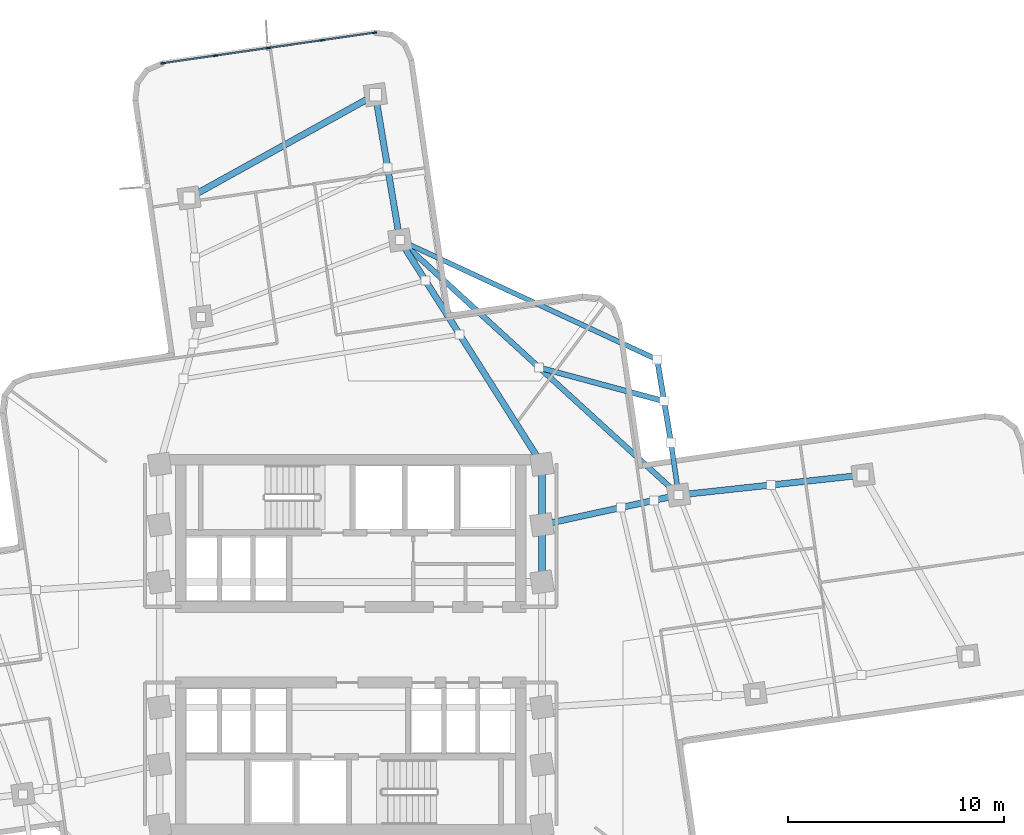
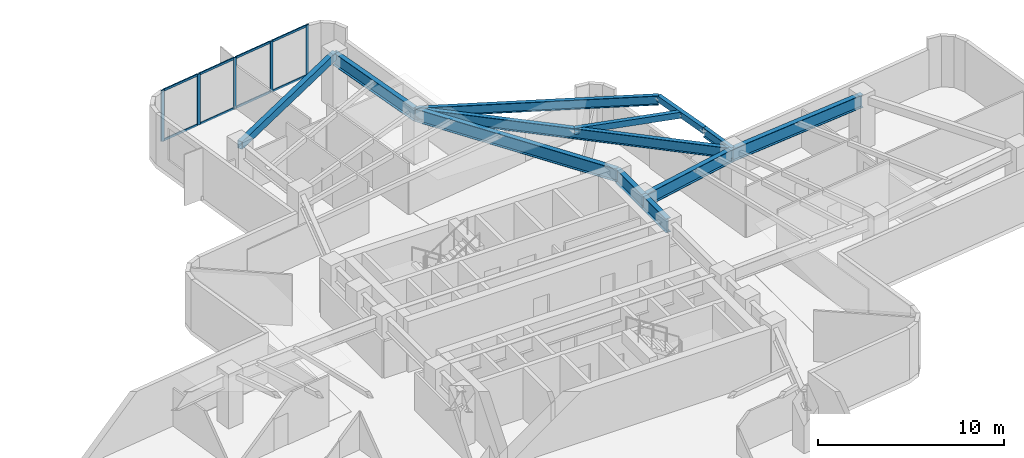
# One storey, part 4 of 13: 13 members, 12 beams, 1 element without a shape of its own.
"""IFC4 building model written with IfcOpenShell, lengths in metres."""

from ifc_helpers import new_model, si_unit, direction, frame, origin, origin_2d, place, context, subcontext, project, spatial, rectangle, hollow_rectangle, i_section, extrude, material, layer, layer_set, material_profile, profile_set, type_object, element, aggregate, save


model = new_model("IFC4")

# Units and contexts
model_context = context("Model", 3, precision=1e-05, world=origin(), true_north=direction((0.0, 1.0)))
body_context = subcontext(model_context, "Body", "Model", "MODEL_VIEW")
ifc_project = project(units=[si_unit("LENGTHUNIT", "METRE"), si_unit("AREAUNIT", "SQUARE_METRE"), si_unit("VOLUMEUNIT", "CUBIC_METRE"), si_unit("PLANEANGLEUNIT", "RADIAN"), si_unit("MASSUNIT", "GRAM", prefix="KILO")], contexts=[model_context])

# Site, building, storey
site_placement = place(None, origin())
site = spatial("IfcSite", under=ifc_project, at=site_placement, CompositionType="ELEMENT")
building_placement = place(site_placement, origin())
building = spatial("IfcBuilding", under=site, at=building_placement, Name="Solmarez Civic Tower", CompositionType="ELEMENT")
storey_placement = place(building_placement, frame((0.0, 0.0, 89.280029296875)))
storey = spatial("IfcBuildingStorey", under=building, at=storey_placement, Name="L23", CompositionType="ELEMENT", Elevation=89.280029296875)

# Beams
ifc_material_1 = material(Name="Steel S355", Category="steel")
ifc_material_profile_1 = material_profile(ifc_material_1, i_section(OverallWidth=0.25390625, OverallDepth=0.68798828125, WebThickness=0.01318359375, FlangeThickness=0.02099609375, at=origin_2d()), Name="W27X102")
ifc_profile_set_1 = profile_set([ifc_material_profile_1], Name="Steel S355")
beam_type_1 = type_object("IfcBeamType", Name="BM-PR-W27X102", PredefinedType="BEAM", material=ifc_profile_set_1)
beam_1_placement = place(storey_placement, frame((15.175048828125, 6.927001953125, 2.995849609375), z_axis=(-0.738053646973, 0.674742035292, 0.0), x_axis=(-0.674742035292, -0.738053646973, 0.0)))
element("IfcBeam", 1, at=beam_1_placement, inside=storey, type_object=beam_type_1, Name="L23 Primary Floor Beam BM-L23-BALC-NEC", PredefinedType="BEAM", context=body_context, shape_type="SweptSolid", body=[
    extrude(i_section(OverallWidth=0.25390625, OverallDepth=0.68798828125, WebThickness=0.01318359375, FlangeThickness=0.02099609375, at=origin_2d()), origin(), (0.0, 0.0, 1.0), 17.48388671875),
])
ifc_material_profile_2 = material_profile(ifc_material_1, i_section(OverallWidth=0.2919921875, OverallDepth=0.845947265625, WebThickness=0.015380859375, FlangeThickness=0.0244140625, at=origin_2d()), Name="W33X141")
ifc_profile_set_2 = profile_set([ifc_material_profile_2], Name="Steel S355")
beam_type_2 = type_object("IfcBeamType", Name="BM-PR-W33X141", PredefinedType="BEAM", material=ifc_profile_set_2)
beam_2_placement = place(storey_placement, frame((8.85009765625, 5.550048828125, 2.9169921875), z_axis=(0.977113347202, 0.212719314402, 0.0), x_axis=(-0.212719314402, 0.977113347202, 0.0)))
element("IfcBeam", 2, at=beam_2_placement, inside=storey, type_object=beam_type_2, Name="L23 Primary Floor Beam BM-L23-EA-R1B", PredefinedType="BEAM", context=body_context, shape_type="SweptSolid", body=[
    extrude(i_section(OverallWidth=0.2919921875, OverallDepth=0.845947265625, WebThickness=0.015380859375, FlangeThickness=0.0244140625, at=origin_2d()), origin(), (0.0, 0.0, 1.0), 6.47314453125),
])
beam_3_placement = place(storey_placement, frame((15.175048828125, 6.927001953125, 2.9169921875), z_axis=(0.994196782435, 0.107576753045, 0.0), x_axis=(-0.107576753045, 0.994196782435, 0.0)))
element("IfcBeam", 3, at=beam_3_placement, inside=storey, type_object=beam_type_2, Name="L23 Primary Floor Beam BM-L23-EA-R2B", PredefinedType="BEAM", context=body_context, shape_type="SweptSolid", body=[
    extrude(i_section(OverallWidth=0.2919921875, OverallDepth=0.845947265625, WebThickness=0.015380859375, FlangeThickness=0.0244140625, at=origin_2d()), origin(), (0.0, 0.0, 1.0), 8.58984375),
])
beam_4_placement = place(storey_placement, frame((8.85009765625, 8.35009765625, 2.9169921875), z_axis=(-0.535568299099, 0.84449191648, 0.0), x_axis=(-0.84449191648, -0.535568299099, 0.0)))
element("IfcBeam", 4, at=beam_4_placement, inside=storey, type_object=beam_type_2, Name="L23 Primary Floor Beam BM-L23-NA-R1A", PredefinedType="BEAM", context=body_context, shape_type="SweptSolid", body=[
    extrude(i_section(OverallWidth=0.2919921875, OverallDepth=0.845947265625, WebThickness=0.015380859375, FlangeThickness=0.0244140625, at=origin_2d()), origin(), (0.0, 0.0, 1.0), 12.284423828125),
])
beam_5_placement = place(storey_placement, frame((2.27099609375, 18.72412109375, 2.9169921875), z_axis=(-0.165813708215, 0.986157094062, 0.0), x_axis=(-0.986157094062, -0.165813708215, 0.0)))
element("IfcBeam", 5, at=beam_5_placement, inside=storey, type_object=beam_type_2, Name="L23 Primary Floor Beam BM-L23-NA-R2A", PredefinedType="BEAM", context=body_context, shape_type="SweptSolid", body=[
    extrude(i_section(OverallWidth=0.2919921875, OverallDepth=0.845947265625, WebThickness=0.015380859375, FlangeThickness=0.0244140625, at=origin_2d()), origin(), (0.0, 0.0, 1.0), 6.827392578125),
])
ifc_material_profile_3 = material_profile(ifc_material_1, i_section(OverallWidth=0.306884765625, OverallDepth=0.927001953125, WebThickness=0.019287109375, FlangeThickness=0.031982421875, at=origin_2d()), Name="W36X194")
ifc_profile_set_3 = profile_set([ifc_material_profile_3], Name="Steel S355")
beam_type_3 = type_object("IfcBeamType", Name="BM-PR-W36X194", PredefinedType="BEAM", material=ifc_profile_set_3)
beam_6_placement = place(storey_placement, frame((8.85009765625, 2.89990234375, 2.876953125), z_axis=(0.0, 1.0, 0.0), x_axis=(-1.0, 0.0, 0.0)))
element("IfcBeam", 6, at=beam_6_placement, inside=storey, type_object=beam_type_3, Name="L23 Primary Floor Beam BM-L23-HC7-HC8", PredefinedType="BEAM", context=body_context, shape_type="SweptSolid", body=[
    extrude(i_section(OverallWidth=0.306884765625, OverallDepth=0.927001953125, WebThickness=0.019287109375, FlangeThickness=0.031982421875, at=origin_2d()), origin(), (0.0, 0.0, 1.0), 2.650146484375),
])
beam_7_placement = place(storey_placement, frame((8.85009765625, 5.550048828125, 2.876953125), z_axis=(0.0, 1.0, 0.0), x_axis=(-1.0, 0.0, 0.0)))
element("IfcBeam", 7, at=beam_7_placement, inside=storey, type_object=beam_type_3, Name="L23 Primary Floor Beam BM-L23-HC8-HC11", PredefinedType="BEAM", context=body_context, shape_type="SweptSolid", body=[
    extrude(i_section(OverallWidth=0.306884765625, OverallDepth=0.927001953125, WebThickness=0.019287109375, FlangeThickness=0.031982421875, at=origin_2d()), origin(), (0.0, 0.0, 1.0), 2.800048828125),
])
ifc_material_profile_4 = material_profile(ifc_material_1, hollow_rectangle(XDim=0.25, YDim=0.39990234375, WallThickness=0.01611328125, at=origin_2d()), Name="HSS400X250X16")
ifc_profile_set_4 = profile_set([ifc_material_profile_4], Name="Steel S355")
beam_type_4 = type_object("IfcBeamType", Name="BM-SP-HSS400X250", PredefinedType="SPANDREL", material=ifc_profile_set_4)
beam_8_placement = place(storey_placement, frame((14.822998046875, 9.345947265625, 3.139892578125), z_axis=(-0.163302678934, 0.986576015851, 0.0), x_axis=(-0.986576015851, -0.163302678934, 0.0)))
element("IfcBeam", 8, at=beam_8_placement, inside=storey, type_object=beam_type_4, Name="L23 Perimeter Spandrel Beam BM-L23-BALC-NEE", PredefinedType="SPANDREL", context=body_context, shape_type="SweptSolid", body=[
    extrude(hollow_rectangle(XDim=0.25, YDim=0.39990234375, WallThickness=0.01611328125, at=origin_2d()), origin(), (0.0, 0.0, 1.0), 3.900390625),
])
beam_9_placement = place(storey_placement, frame((8.722900390625, 12.824951171875, 3.139892578125), z_axis=(0.965689340912, -0.259700013185, 0.0), x_axis=(0.259700013185, 0.965689340912, 0.0)))
element("IfcBeam", 9, at=beam_9_placement, inside=storey, type_object=beam_type_4, Name="L23 Perimeter Spandrel Beam BM-L23-BALC-NEM", PredefinedType="SPANDREL", context=body_context, shape_type="SweptSolid", body=[
    extrude(hollow_rectangle(XDim=0.25, YDim=0.39990234375, WallThickness=0.01611328125, at=origin_2d()), origin(), (0.0, 0.0, 1.0), 5.9873046875),
])
ifc_material_profile_5 = material_profile(ifc_material_1, hollow_rectangle(XDim=0.300048828125, YDim=0.5, WallThickness=0.02001953125, at=origin_2d()), Name="HSS500X300X20")
ifc_profile_set_5 = profile_set([ifc_material_profile_5], Name="Steel S355")
beam_type_5 = type_object("IfcBeamType", Name="BM-SP-HSS500X300", PredefinedType="SPANDREL", material=ifc_profile_set_5)
beam_10_placement = place(storey_placement, frame((1.138916015625, 25.45703125, 3.090087890625), z_axis=(-0.874811531682, -0.484463398035, 0.0), x_axis=(0.484463398035, -0.874811531682, 0.0)))
element("IfcBeam", 10, at=beam_10_placement, inside=storey, type_object=beam_type_5, Name="L23 Perimeter Spandrel Beam BM-L23-NA-T2", PredefinedType="SPANDREL", context=body_context, shape_type="SweptSolid", body=[
    extrude(hollow_rectangle(XDim=0.300048828125, YDim=0.5, WallThickness=0.02001953125, at=origin_2d()), origin(), (0.0, 0.0, 1.0), 9.862548828125),
])
ifc_material_profile_6 = material_profile(ifc_material_1, i_section(OverallWidth=0.22900390625, OverallDepth=0.612060546875, WebThickness=0.011962890625, FlangeThickness=0.01953125, at=origin_2d()), Name="W24X84")
ifc_profile_set_6 = profile_set([ifc_material_profile_6], Name="Steel S355")
beam_type_6 = type_object("IfcBeamType", Name="BM-SP-W24X84", PredefinedType="SPANDREL", material=ifc_profile_set_6)
beam_11_placement = place(storey_placement, frame((15.175048828125, 6.927001953125, 3.033935546875), z_axis=(-0.144021647449, 0.989574537398, 0.0), x_axis=(-0.989574537398, -0.144021647449, 0.0)))
element("IfcBeam", 11, at=beam_11_placement, inside=storey, type_object=beam_type_6, Name="L23 Perimeter Spandrel Beam BM-L23-BALC-NE1", PredefinedType="SPANDREL", context=body_context, shape_type="SweptSolid", body=[
    extrude(i_section(OverallWidth=0.22900390625, OverallDepth=0.612060546875, WebThickness=0.011962890625, FlangeThickness=0.01953125, at=origin_2d()), origin(), (0.0, 0.0, 1.0), 2.4443359375),
])
beam_12_placement = place(storey_placement, frame((2.27099609375, 18.72412109375, 3.033935546875), z_axis=(0.907065750802, -0.420988982899, 0.0), x_axis=(0.420988982899, 0.907065750802, 0.0)))
element("IfcBeam", 12, at=beam_12_placement, inside=storey, type_object=beam_type_6, Name="L23 Perimeter Spandrel Beam BM-L23-BALC-NE2", PredefinedType="SPANDREL", context=body_context, shape_type="SweptSolid", body=[
    extrude(i_section(OverallWidth=0.22900390625, OverallDepth=0.612060546875, WebThickness=0.011962890625, FlangeThickness=0.01953125, at=origin_2d()), origin(), (0.0, 0.0, 1.0), 13.1357421875),
])

# Curtain wall, members
ifc_material_2 = material(Name="Bronze Anodised Aluminium EN AW-6063 T6", Category="aluminium")
ifc_layer = layer(ifc_material_2, 0.199951171875)
ifc_layer_set = layer_set([ifc_layer], Name="Bronze Anodised Aluminium EN AW-6063 T6")
curtain_wall_type = type_object("IfcCurtainWallType", Name="CW-SYS-1", PredefinedType="NOTDEFINED", material=ifc_layer_set)
curtain_wall_placement = place(storey_placement, origin())
curtain_wall = element("IfcCurtainWall", 13, at=curtain_wall_placement, inside=storey, type_object=curtain_wall_type, Name="L23 Stick-Built Curtain Wall 2", PredefinedType="NOTDEFINED")
ifc_material_profile_7 = material_profile(ifc_material_2, rectangle(XDim=0.074951171875, YDim=0.199951171875, at=origin_2d()), Name="CWM-75X200")
ifc_profile_set_7 = profile_set([ifc_material_profile_7], Name="Bronze Anodised Aluminium EN AW-6063 T6")
member_type_1 = type_object("IfcMemberType", Name="CWM-TYPE-1", PredefinedType="MULLION", material=ifc_profile_set_7)
member_1_placement = place(storey_placement, frame((-8.699951171875, 26.914306640625, 0.0), z_axis=(0.0, 0.0, 1.0), x_axis=(-0.142697903871, 0.989766289702, 0.0)))
member_1 = element("IfcMember", 14, at=member_1_placement, type_object=member_type_1, Name="CWS1 mullion 1", PredefinedType="MULLION", context=body_context, shape_type="SweptSolid", body=[
    extrude(rectangle(XDim=0.074951171875, YDim=0.199951171875, at=origin_2d()), origin(), (0.0, 0.0, 1.0), 3.340087890625),
])
member_2_placement = place(storey_placement, frame((-6.267822265625, 27.264892578125, 0.0), z_axis=(0.0, 0.0, 1.0), x_axis=(-0.142697903871, 0.989766289702, 0.0)))
member_2 = element("IfcMember", 15, at=member_2_placement, type_object=member_type_1, Name="CWS1 mullion 2", PredefinedType="MULLION", context=body_context, shape_type="SweptSolid", body=[
    extrude(rectangle(XDim=0.074951171875, YDim=0.199951171875, at=origin_2d()), origin(), (0.0, 0.0, 1.0), 3.340087890625),
])
member_3_placement = place(storey_placement, frame((-3.798583984375, 27.62109375, 0.0), z_axis=(0.0, 0.0, 1.0), x_axis=(-0.142697903871, 0.989766289702, 0.0)))
member_3 = element("IfcMember", 16, at=member_3_placement, type_object=member_type_1, Name="CWS1 mullion 3", PredefinedType="MULLION", context=body_context, shape_type="SweptSolid", body=[
    extrude(rectangle(XDim=0.074951171875, YDim=0.199951171875, at=origin_2d()), origin(), (0.0, 0.0, 1.0), 3.340087890625),
])
member_4_placement = place(storey_placement, frame((-1.329345703125, 27.97705078125, 0.0), z_axis=(0.0, 0.0, 1.0), x_axis=(-0.142697903871, 0.989766289702, 0.0)))
member_4 = element("IfcMember", 17, at=member_4_placement, type_object=member_type_1, Name="CWS1 mullion 4", PredefinedType="MULLION", context=body_context, shape_type="SweptSolid", body=[
    extrude(rectangle(XDim=0.074951171875, YDim=0.199951171875, at=origin_2d()), origin(), (0.0, 0.0, 1.0), 3.340087890625),
])
member_5_placement = place(storey_placement, frame((1.102783203125, 28.32763671875, 0.0), z_axis=(0.0, 0.0, 1.0), x_axis=(-0.142697903871, 0.989766289702, 0.0)))
member_5 = element("IfcMember", 18, at=member_5_placement, type_object=member_type_1, Name="CWS1 mullion 5", PredefinedType="MULLION", context=body_context, shape_type="SweptSolid", body=[
    extrude(rectangle(XDim=0.074951171875, YDim=0.199951171875, at=origin_2d()), origin(), (0.0, 0.0, 1.0), 3.340087890625),
])
ifc_material_profile_8 = material_profile(ifc_material_2, rectangle(XDim=0.070068359375, YDim=0.139892578125, at=origin_2d()), Name="CWT-70X140")
ifc_profile_set_8 = profile_set([ifc_material_profile_8], Name="Bronze Anodised Aluminium EN AW-6063 T6")
member_type_2 = type_object("IfcMemberType", Name="CWT-TYPE-1", PredefinedType="USERDEFINED", material=ifc_profile_set_8)
member_6_placement = place(storey_placement, frame((-8.662841796875, 26.919677734375, 0.034912109375), z_axis=(0.989757980465, 0.142755525656, 0.0), x_axis=(-0.142755525656, 0.989757980465, 0.0)))
member_6 = element("IfcMember", 19, at=member_6_placement, type_object=member_type_2, Name="CWS1 transom 1.1", ObjectType="TRANSOM", PredefinedType="USERDEFINED", context=body_context, shape_type="SweptSolid", body=[
    extrude(rectangle(XDim=0.070068359375, YDim=0.139892578125, at=origin_2d()), origin(), (0.0, 0.0, 1.0), 2.38232421875),
])
member_7_placement = place(storey_placement, frame((-8.662841796875, 26.919677734375, 3.304931640625), z_axis=(0.989757980465, 0.142755525656, 0.0), x_axis=(-0.142755525656, 0.989757980465, 0.0)))
member_7 = element("IfcMember", 20, at=member_7_placement, type_object=member_type_2, Name="CWS1 transom 1.2", ObjectType="TRANSOM", PredefinedType="USERDEFINED", context=body_context, shape_type="SweptSolid", body=[
    extrude(rectangle(XDim=0.070068359375, YDim=0.139892578125, at=origin_2d()), origin(), (0.0, 0.0, 1.0), 2.38232421875),
])
member_8_placement = place(storey_placement, frame((-6.230712890625, 27.270263671875, 0.034912109375), z_axis=(0.989756888176, 0.142763098549, 0.0), x_axis=(-0.142763098549, 0.989756888176, 0.0)))
member_8 = element("IfcMember", 21, at=member_8_placement, type_object=member_type_2, Name="CWS1 transom 2.1", ObjectType="TRANSOM", PredefinedType="USERDEFINED", context=body_context, shape_type="SweptSolid", body=[
    extrude(rectangle(XDim=0.070068359375, YDim=0.139892578125, at=origin_2d()), origin(), (0.0, 0.0, 1.0), 2.419921875),
])
member_9_placement = place(storey_placement, frame((-6.230712890625, 27.270263671875, 3.304931640625), z_axis=(0.989756888176, 0.142763098549, 0.0), x_axis=(-0.142763098549, 0.989756888176, 0.0)))
member_9 = element("IfcMember", 22, at=member_9_placement, type_object=member_type_2, Name="CWS1 transom 2.2", ObjectType="TRANSOM", PredefinedType="USERDEFINED", context=body_context, shape_type="SweptSolid", body=[
    extrude(rectangle(XDim=0.070068359375, YDim=0.139892578125, at=origin_2d()), origin(), (0.0, 0.0, 1.0), 2.419921875),
])
member_10_placement = place(storey_placement, frame((-3.761474609375, 27.62646484375, 0.034912109375), z_axis=(0.989771139655, 0.142664260089, 0.0), x_axis=(-0.142664260089, 0.989771139655, 0.0)))
member_10 = element("IfcMember", 23, at=member_10_placement, type_object=member_type_2, Name="CWS1 transom 3.1", ObjectType="TRANSOM", PredefinedType="USERDEFINED", context=body_context, shape_type="SweptSolid", body=[
    extrude(rectangle(XDim=0.070068359375, YDim=0.139892578125, at=origin_2d()), origin(), (0.0, 0.0, 1.0), 2.419677734375),
])
member_11_placement = place(storey_placement, frame((-3.761474609375, 27.62646484375, 3.304931640625), z_axis=(0.989771139655, 0.142664260089, 0.0), x_axis=(-0.142664260089, 0.989771139655, 0.0)))
member_11 = element("IfcMember", 24, at=member_11_placement, type_object=member_type_2, Name="CWS1 transom 3.2", ObjectType="TRANSOM", PredefinedType="USERDEFINED", context=body_context, shape_type="SweptSolid", body=[
    extrude(rectangle(XDim=0.070068359375, YDim=0.139892578125, at=origin_2d()), origin(), (0.0, 0.0, 1.0), 2.419677734375),
])
member_12_placement = place(storey_placement, frame((-1.292236328125, 27.982421875, 0.034912109375), z_axis=(0.989772455425, 0.142655131285, 0.0), x_axis=(-0.142655131285, 0.989772455425, 0.0)))
member_12 = element("IfcMember", 25, at=member_12_placement, type_object=member_type_2, Name="CWS1 transom 4.1", ObjectType="TRANSOM", PredefinedType="USERDEFINED", context=body_context, shape_type="SweptSolid", body=[
    extrude(rectangle(XDim=0.070068359375, YDim=0.139892578125, at=origin_2d()), origin(), (0.0, 0.0, 1.0), 2.38232421875),
])
member_13_placement = place(storey_placement, frame((-1.292236328125, 27.982421875, 3.304931640625), z_axis=(0.989772455425, 0.142655131285, 0.0), x_axis=(-0.142655131285, 0.989772455425, 0.0)))
member_13 = element("IfcMember", 26, at=member_13_placement, type_object=member_type_2, Name="CWS1 transom 4.2", ObjectType="TRANSOM", PredefinedType="USERDEFINED", context=body_context, shape_type="SweptSolid", body=[
    extrude(rectangle(XDim=0.070068359375, YDim=0.139892578125, at=origin_2d()), origin(), (0.0, 0.0, 1.0), 2.38232421875),
])
aggregate(curtain_wall, [member_1, member_2, member_3, member_4, member_5, member_6, member_7, member_8, member_9, member_10, member_11, member_12, member_13])

save(model, "model.ifc")
